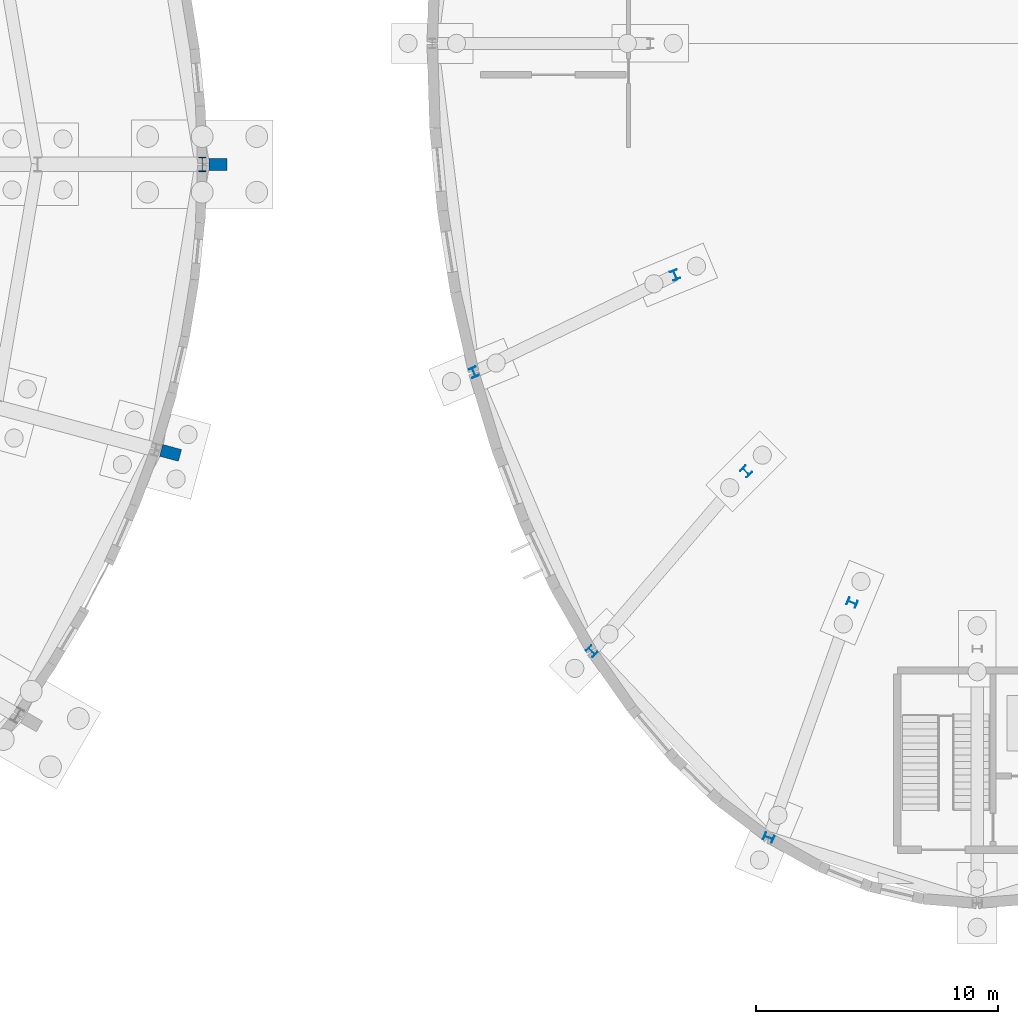
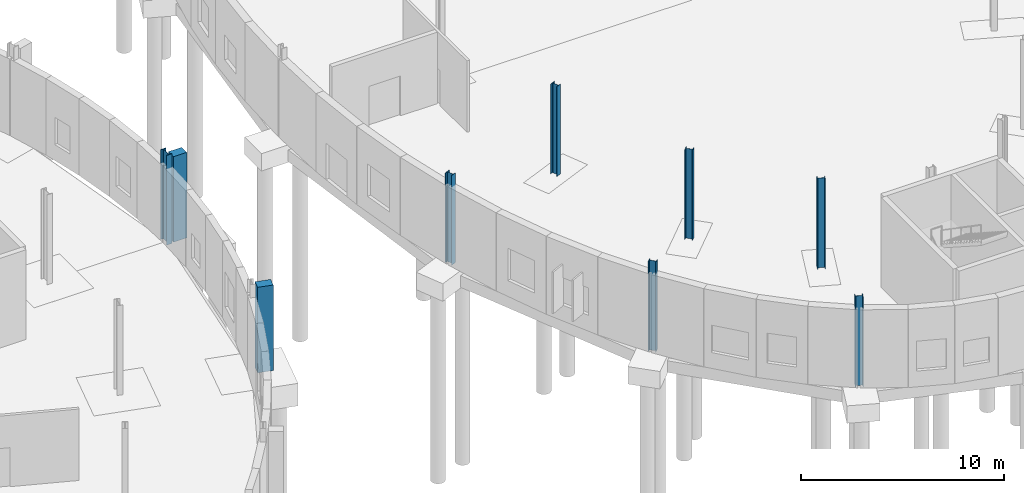
# One storey, part 39 of 118: 9 columns.
"""IFC4 building model written with IfcOpenShell, lengths in metres."""

import ifcopenshell
import ifcopenshell.guid

model = None  # the IFC model being written
_history = None  # IfcOwnerHistory: only IFC2X3 demands one
_inside = {}  # id of a spatial element -> (the spatial element, [elements in it])
_under = {}  # id of a project, library or spatial element -> (it, [spatial elements below it])
_declared = {}  # id of a project -> (the project, [libraries it declares])
_typed = {}  # id of a type object -> (the type object, [elements of that type])
_made_of = {}  # id of a material, layer set ... -> (it, [elements and type objects made of it])


def new_model(schema):
    """Start an empty IFC model of exactly this schema.

    Asked for "IFC4X3", IfcOpenShell would pick the latest addendum, in which some entities
    have other attributes; the version numbers below select the first issue.
    IFC2X3 requires an IfcOwnerHistory on every rooted entity: one is made here for all.
    """
    global model, _history
    if schema == "IFC4X3":
        model = ifcopenshell.file(schema_version=(4, 3, 0, 0))
    else:
        model = ifcopenshell.file(schema=schema)
    _inside.clear()
    _under.clear()
    _declared.clear()
    _typed.clear()
    _made_of.clear()
    _history = None
    if model.schema == "IFC2X3":
        org = make("IfcOrganization", Name="unknown")
        user = make(
            "IfcPersonAndOrganization",
            ThePerson=make("IfcPerson", FamilyName="unknown"),
            TheOrganization=org,
        )
        app = make(
            "IfcApplication",
            ApplicationDeveloper=org,
            Version="unknown",
            ApplicationFullName="unknown",
            ApplicationIdentifier="unknown",
        )
        _history = make(
            "IfcOwnerHistory",
            OwningUser=user,
            OwningApplication=app,
            ChangeAction="ADDED",
            CreationDate=0,
        )
    return model


def make(cls, **values):
    """One entity of the class cls with the attributes given. An attribute that is None is left unset."""
    return model.create_entity(
        cls, **{name: value for name, value in values.items() if value is not None}
    )


def rooted(cls, **values):
    """An entity with a GlobalId (a new one), such as an element, a storey or a relation."""
    return make(cls, GlobalId=ifcopenshell.guid.new(), OwnerHistory=_history, **values)


def si_unit(unit_type, name, prefix=None):
    """IfcSIUnit, for example si_unit("LENGTHUNIT", "METRE", prefix="MILLI")."""
    return make("IfcSIUnit", UnitType=unit_type, Prefix=prefix, Name=name)


def assignment(units):
    """IfcUnitAssignment: the units of a project."""
    return None if units is None else make("IfcUnitAssignment", Units=units)


def point(xyz):
    """IfcCartesianPoint."""
    return None if xyz is None else make("IfcCartesianPoint", Coordinates=xyz)


def direction(xyz):
    """IfcDirection."""
    return None if xyz is None else make("IfcDirection", DirectionRatios=xyz)


def frame(location, z_axis=None, x_axis=None):
    """IfcAxis2Placement3D, a coordinate frame: its origin and axes. An axis left out is left unset."""
    return make(
        "IfcAxis2Placement3D",
        Location=point(location),
        Axis=direction(z_axis),
        RefDirection=direction(x_axis),
    )


def frame_2d(location, x_axis=None):
    """IfcAxis2Placement2D, a coordinate frame in the plane: its origin and x axis."""
    return make(
        "IfcAxis2Placement2D", Location=point(location), RefDirection=direction(x_axis)
    )


def origin():
    """The frame at (0, 0, 0) with its axes left unset."""
    return frame((0.0, 0.0, 0.0))


def origin_2d():
    """The frame at (0, 0) in the plane with its x axis left unset."""
    return frame_2d((0.0, 0.0))


def place(relative_to, where):
    """IfcLocalPlacement: puts the frame where relative to a parent placement (None: the world)."""
    return make(
        "IfcLocalPlacement", PlacementRelTo=relative_to, RelativePlacement=where
    )


def context(
    kind, dimensions, precision=None, world=None, true_north=None, identifier=None
):
    """IfcGeometricRepresentationContext, for example the 3D "Model" context."""
    return make(
        "IfcGeometricRepresentationContext",
        ContextIdentifier=identifier,
        ContextType=kind,
        CoordinateSpaceDimension=dimensions,
        Precision=precision,
        WorldCoordinateSystem=world,
        TrueNorth=true_north,
    )


def subcontext(parent, identifier, kind, view, scale=None):
    """IfcGeometricRepresentationSubContext, for example "Body" below "Model"."""
    return make(
        "IfcGeometricRepresentationSubContext",
        ContextIdentifier=identifier,
        ContextType=kind,
        ParentContext=parent,
        TargetScale=scale,
        TargetView=view,
    )


def project(units=None, contexts=None):
    """IfcProject with its units and contexts."""
    return rooted(
        "IfcProject",
        Name="project",
        RepresentationContexts=contexts,
        UnitsInContext=assignment(units),
    )


def spatial(cls, under=None, at=None, **own):
    """A site, building, storey or space (cls), placed at a placement, below another one or the project."""
    s = rooted(cls, ObjectPlacement=at, **own)
    if under is not None:
        _under.setdefault(under.id(), (under, []))[1].append(s)
    return s


def profile(cls, at=None, kind="AREA", **sizes):
    """A parametric profile (cls). Its sizes go by their IFC names, for example OverallWidth=200.0."""
    return make(cls, ProfileType=kind, Position=at, **sizes)


def rectangle(**sizes):
    """IfcRectangleProfileDef."""
    return profile("IfcRectangleProfileDef", **sizes)


def i_section(**sizes):
    """IfcIShapeProfileDef."""
    return profile("IfcIShapeProfileDef", **sizes)


def extrude(swept, where, along, depth):
    """IfcExtrudedAreaSolid: the profile swept, set in the frame where, extruded along a direction by depth."""
    return make(
        "IfcExtrudedAreaSolid",
        SweptArea=swept,
        Position=where,
        ExtrudedDirection=direction(along),
        Depth=depth,
    )


def shape(context_of_items, identifier, shape_type, items):
    """IfcShapeRepresentation: the items that make up one representation, for example the "Body"."""
    return make(
        "IfcShapeRepresentation",
        ContextOfItems=context_of_items,
        RepresentationIdentifier=identifier,
        RepresentationType=shape_type,
        Items=items,
    )


def material(Name=None, Category=None):
    """IfcMaterial."""
    return make("IfcMaterial", Name=Name, Category=Category)


def material_profile(
    of_material, cross_section, Name=None, Category=None, Priority=None
):
    """IfcMaterialProfile: a cross section and its material."""
    return make(
        "IfcMaterialProfile",
        Name=Name,
        Material=of_material,
        Profile=cross_section,
        Priority=Priority,
        Category=Category,
    )


def profile_set(profiles, Name=None, composite=None):
    """IfcMaterialProfileSet."""
    return make(
        "IfcMaterialProfileSet",
        Name=Name,
        MaterialProfiles=profiles,
        CompositeProfile=composite,
    )


def made_of(thing, what):
    """Note that an element or type object is made of a material, layer set ...; save() writes the relation."""
    if what is not None:
        _made_of.setdefault(what.id(), (what, []))[1].append(thing)
    return thing


def type_object(cls, material=None, **own):
    """A type object (cls), such as IfcWallType, which elements share."""
    return made_of(rooted(cls, **own), material)


def element(
    cls,
    number,
    at=None,
    inside=None,
    cuts=None,
    type_object=None,
    material=None,
    context=None,
    identifier="Body",
    shape_type=None,
    held_by="IfcProductDefinitionShape",
    body=None,
    shapes=None,
    **own,
):
    """One element of the class cls, such as IfcWall. Its Tag is "e" and its number.

    at: its placement. inside: the storey or other place that contains it. cuts: it is an
    opening in that element (IfcRelVoidsElement). A single representation is given by context,
    identifier, shape_type and body (its items); several are given by shapes. held_by: the class
    of the entity that holds the representations. save() writes the other relations.
    """
    e = rooted(cls, Tag="e%d" % number, ObjectPlacement=at, **own)
    if body is not None:
        shapes = [shape(context, identifier, shape_type, body)]
    if shapes is not None:
        e.Representation = make(held_by, Representations=shapes)
    if inside is not None:
        _inside.setdefault(inside.id(), (inside, []))[1].append(e)
    if cuts is not None:
        rooted(
            "IfcRelVoidsElement", RelatingBuildingElement=cuts, RelatedOpeningElement=e
        )
    if type_object is not None:
        _typed.setdefault(type_object.id(), (type_object, []))[1].append(e)
    return made_of(e, material)


def aggregate(whole, parts):
    """IfcRelAggregates: a whole, such as a stair, and the parts it consists of."""
    return rooted("IfcRelAggregates", RelatingObject=whole, RelatedObjects=parts)


def save(model, path):
    """Write the relations noted so far, then the file.

    IfcRelAggregates (storeys below a building ...), IfcRelContainedInSpatialStructure (elements
    in a storey), IfcRelDefinesByType, IfcRelAssociatesMaterial and IfcRelDeclares: one each for
    every whole, place, type object, material and project.
    """
    for whole, parts in _under.values():
        aggregate(whole, parts)
    for where, things in _inside.values():
        rooted(
            "IfcRelContainedInSpatialStructure",
            RelatedElements=things,
            RelatingStructure=where,
        )
    for kind, things in _typed.values():
        rooted("IfcRelDefinesByType", RelatedObjects=things, RelatingType=kind)
    for what, things in _made_of.values():
        rooted("IfcRelAssociatesMaterial", RelatedObjects=things, RelatingMaterial=what)
    for by, libraries in _declared.values():
        rooted("IfcRelDeclares", RelatingContext=by, RelatedDefinitions=libraries)
    model.write(path)


model = new_model("IFC4")

# Units and contexts
model_context = context("Model", 3, precision=1e-05, world=origin(), true_north=direction((0.0, 1.0)))
body_context = subcontext(model_context, "Body", "Model", "MODEL_VIEW")
ifc_project = project(units=[si_unit("LENGTHUNIT", "METRE"), si_unit("AREAUNIT", "SQUARE_METRE"), si_unit("VOLUMEUNIT", "CUBIC_METRE"), si_unit("PLANEANGLEUNIT", "RADIAN"), si_unit("MASSUNIT", "GRAM", prefix="KILO")], contexts=[model_context])

# Site, building, storey
site_placement = place(None, origin())
site = spatial("IfcSite", under=ifc_project, at=site_placement, CompositionType="ELEMENT")
building_placement = place(site_placement, origin())
building = spatial("IfcBuilding", under=site, at=building_placement, Name="Kildeholm Park Wholesale Market", CompositionType="ELEMENT")
storey_placement = place(building_placement, origin())
storey = spatial("IfcBuildingStorey", under=building, at=storey_placement, Name="L00", CompositionType="ELEMENT", Elevation=0.0)

# Columns
ifc_material_1 = material(Name="Steel S355", Category="steel")
ifc_material_profile_1 = material_profile(ifc_material_1, i_section(OverallWidth=0.300048828125, OverallDepth=0.39990234375, WebThickness=0.013427734375, FlangeThickness=0.02392578125, FilletRadius=0.027099609375, at=origin_2d()), Name="HEB 400")
ifc_profile_set_1 = profile_set([ifc_material_profile_1], Name="Steel S355")
column_type_1 = type_object("IfcColumnType", Name="Column C-S05 HEB 400", PredefinedType="COLUMN", material=ifc_profile_set_1)
for number, where, z_axis, x_axis, name in (
    (1, (175.528076171875, 84.93310546875, 0.0), (0.0, 0.0, 1.0), (-0.923879532511, -0.382683432365, 0.0), "Column V2-IN-09 L00 COL-0262"),
    (2, (167.212890625, 80.9150390625, 0.0), (0.0, 0.0, 1.0), (-0.923879532511, -0.382683432365, 0.0), "Column V2-OT-09 L00 COL-0265"),
    (3, (178.4541015625, 76.822021484375, 0.0), (0.0, 0.0, 1.0), (-0.707106781187, -0.707106781187, 0.0), "Column V2-IN-10 L00 COL-0267"),
    (4, (172.090087890625, 69.39794921875, 0.0), (0.0, 0.0, 1.0), (-0.707106781187, -0.707106781187, 0.0), "Column V2-OT-10 L00 COL-0270"),
    (5, (182.833984375, 71.403076171875, 0.0), (0.0, 0.0, 1.0), (-0.382683432365, -0.923879532511, 0.0), "Column V2-IN-11 L00 COL-0272"),
    (6, (179.389892578125, 61.701904296875, 0.0), (0.0, 0.0, 1.0), (-0.382683432365, -0.923879532511, 0.0), "Column V2-OT-11 L00 COL-0275"),
):
    element("IfcColumn", number, at=place(storey_placement, frame(where, z_axis=z_axis, x_axis=x_axis)), inside=storey, type_object=column_type_1, Name=name, PredefinedType="COLUMN", context=body_context, shape_type="SweptSolid", body=[
        extrude(i_section(OverallWidth=0.300048828125, OverallDepth=0.39990234375, WebThickness=0.013427734375, FlangeThickness=0.02392578125, FilletRadius=0.027099609375, at=origin_2d()), origin(), (0.0, 0.0, 1.0), 5.39990234375),
    ])
ifc_material_profile_2 = material_profile(ifc_material_1, i_section(OverallWidth=0.300048828125, OverallDepth=0.60009765625, WebThickness=0.015380859375, FlangeThickness=0.030029296875, FilletRadius=0.027099609375, at=origin_2d()), Name="HEB 600")
ifc_profile_set_2 = profile_set([ifc_material_profile_2], Name="Steel S355")
column_type_2 = type_object("IfcColumnType", Name="Column C-S08 HEB 600", PredefinedType="COLUMN", material=ifc_profile_set_2)
column_1_placement = place(storey_placement, frame((156.0, 89.5, 0.0), z_axis=(0.0, 0.0, 1.0), x_axis=(1.0, 0.0, 0.0)))
element("IfcColumn", 7, at=column_1_placement, inside=storey, type_object=column_type_2, Name="Column V1-OT-00 L00 COL-0007", PredefinedType="COLUMN", context=body_context, shape_type="SweptSolid", body=[
    extrude(i_section(OverallWidth=0.300048828125, OverallDepth=0.60009765625, WebThickness=0.015380859375, FlangeThickness=0.030029296875, FilletRadius=0.027099609375, at=origin_2d()), origin(), (0.0, 0.0, 1.0), 5.39990234375),
])
ifc_material_2 = material(Name="Precast concrete C40/50", Category="concrete")
ifc_material_profile_3 = material_profile(ifc_material_2, rectangle(XDim=0.800048828125, YDim=0.5, at=origin_2d()), Name="PIL 800x500")
ifc_profile_set_3 = profile_set([ifc_material_profile_3], Name="Precast concrete C40/50")
column_type_3 = type_object("IfcColumnType", Name="Column PL-M01 PIL 800x500", PredefinedType="PILASTER", material=ifc_profile_set_3)
column_2_placement = place(storey_placement, frame((154.694091796875, 77.587890625, 0.0), z_axis=(0.0, 0.0, 1.0), x_axis=(0.965925826289, -0.258819045103, 0.0)))
element("IfcColumn", 8, at=column_2_placement, inside=storey, type_object=column_type_3, Name="Market ring pilaster 24 COL-0216", PredefinedType="PILASTER", context=body_context, shape_type="SweptSolid", body=[
    extrude(rectangle(XDim=0.800048828125, YDim=0.5, at=origin_2d()), origin(), (0.0, 0.0, 1.0), 5.14990234375),
])
ifc_material_profile_4 = material_profile(ifc_material_2, rectangle(XDim=0.75, YDim=0.5, at=origin_2d()), Name="PIL 750x500")
ifc_profile_set_4 = profile_set([ifc_material_profile_4], Name="Precast concrete C40/50")
column_type_4 = type_object("IfcColumnType", Name="Column PL-M02 PIL 750x500", PredefinedType="PILASTER", material=ifc_profile_set_4)
column_3_placement = place(storey_placement, frame((156.64990234375, 89.5, 0.0), z_axis=(0.0, 0.0, 1.0), x_axis=(1.0, 0.0, 0.0)))
element("IfcColumn", 9, at=column_3_placement, inside=storey, type_object=column_type_4, Name="Market ring pilaster 1 COL-0009", PredefinedType="PILASTER", context=body_context, shape_type="SweptSolid", body=[
    extrude(rectangle(XDim=0.75, YDim=0.5, at=origin_2d()), origin(), (0.0, 0.0, 1.0), 5.14990234375),
])

save(model, "model.ifc")
